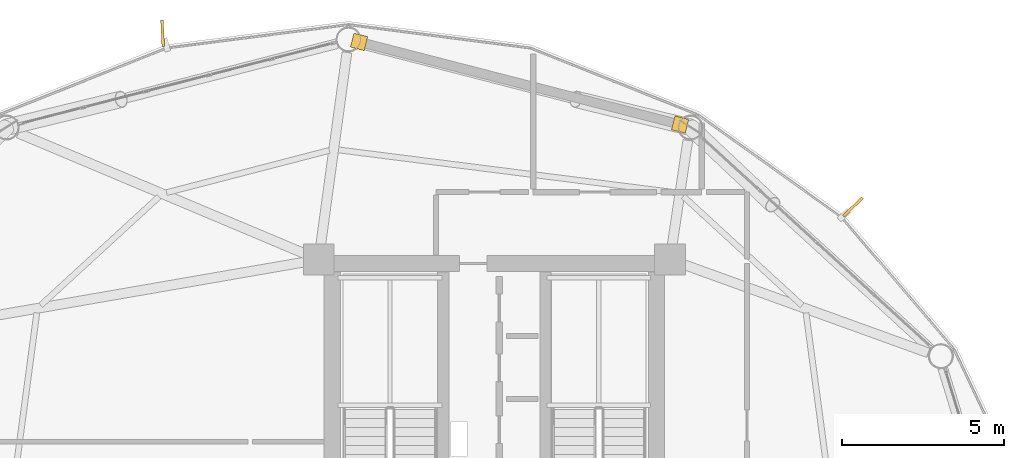
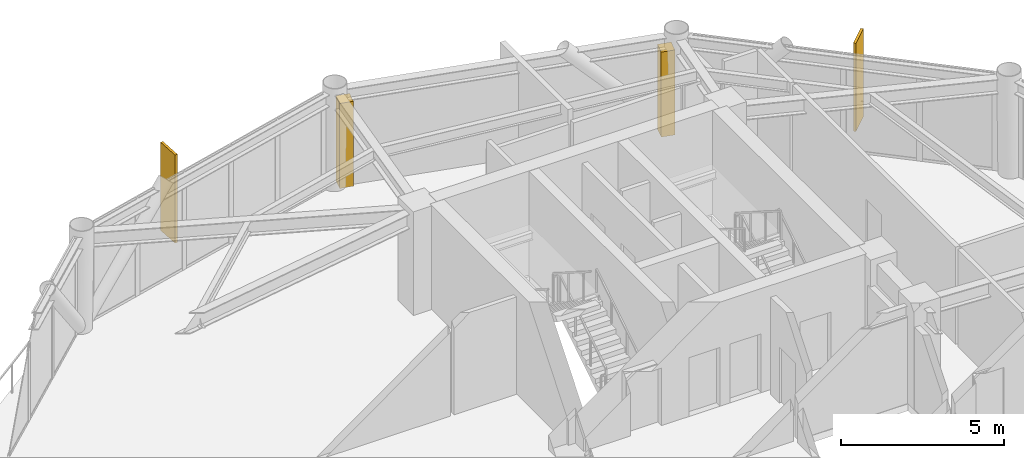
# One storey, part 25 of 25: 2 coverings, 2 shading devices.
"""IFC4 building model written with IfcOpenShell, lengths in metres."""

import ifcopenshell
import ifcopenshell.guid

model = None  # the IFC model being written
_history = None  # IfcOwnerHistory: only IFC2X3 demands one
_inside = {}  # id of a spatial element -> (the spatial element, [elements in it])
_under = {}  # id of a project, library or spatial element -> (it, [spatial elements below it])
_declared = {}  # id of a project -> (the project, [libraries it declares])
_typed = {}  # id of a type object -> (the type object, [elements of that type])
_made_of = {}  # id of a material, layer set ... -> (it, [elements and type objects made of it])


def new_model(schema):
    """Start an empty IFC model of exactly this schema.

    Asked for "IFC4X3", IfcOpenShell would pick the latest addendum, in which some entities
    have other attributes; the version numbers below select the first issue.
    IFC2X3 requires an IfcOwnerHistory on every rooted entity: one is made here for all.
    """
    global model, _history
    if schema == "IFC4X3":
        model = ifcopenshell.file(schema_version=(4, 3, 0, 0))
    else:
        model = ifcopenshell.file(schema=schema)
    _inside.clear()
    _under.clear()
    _declared.clear()
    _typed.clear()
    _made_of.clear()
    _history = None
    if model.schema == "IFC2X3":
        org = make("IfcOrganization", Name="unknown")
        user = make(
            "IfcPersonAndOrganization",
            ThePerson=make("IfcPerson", FamilyName="unknown"),
            TheOrganization=org,
        )
        app = make(
            "IfcApplication",
            ApplicationDeveloper=org,
            Version="unknown",
            ApplicationFullName="unknown",
            ApplicationIdentifier="unknown",
        )
        _history = make(
            "IfcOwnerHistory",
            OwningUser=user,
            OwningApplication=app,
            ChangeAction="ADDED",
            CreationDate=0,
        )
    return model


def make(cls, **values):
    """One entity of the class cls with the attributes given. An attribute that is None is left unset."""
    return model.create_entity(
        cls, **{name: value for name, value in values.items() if value is not None}
    )


def rooted(cls, **values):
    """An entity with a GlobalId (a new one), such as an element, a storey or a relation."""
    return make(cls, GlobalId=ifcopenshell.guid.new(), OwnerHistory=_history, **values)


def si_unit(unit_type, name, prefix=None):
    """IfcSIUnit, for example si_unit("LENGTHUNIT", "METRE", prefix="MILLI")."""
    return make("IfcSIUnit", UnitType=unit_type, Prefix=prefix, Name=name)


def assignment(units):
    """IfcUnitAssignment: the units of a project."""
    return None if units is None else make("IfcUnitAssignment", Units=units)


def point(xyz):
    """IfcCartesianPoint."""
    return None if xyz is None else make("IfcCartesianPoint", Coordinates=xyz)


def direction(xyz):
    """IfcDirection."""
    return None if xyz is None else make("IfcDirection", DirectionRatios=xyz)


def frame(location, z_axis=None, x_axis=None):
    """IfcAxis2Placement3D, a coordinate frame: its origin and axes. An axis left out is left unset."""
    return make(
        "IfcAxis2Placement3D",
        Location=point(location),
        Axis=direction(z_axis),
        RefDirection=direction(x_axis),
    )


def frame_2d(location, x_axis=None):
    """IfcAxis2Placement2D, a coordinate frame in the plane: its origin and x axis."""
    return make(
        "IfcAxis2Placement2D", Location=point(location), RefDirection=direction(x_axis)
    )


def origin():
    """The frame at (0, 0, 0) with its axes left unset."""
    return frame((0.0, 0.0, 0.0))


def origin_2d():
    """The frame at (0, 0) in the plane with its x axis left unset."""
    return frame_2d((0.0, 0.0))


def place(relative_to, where):
    """IfcLocalPlacement: puts the frame where relative to a parent placement (None: the world)."""
    return make(
        "IfcLocalPlacement", PlacementRelTo=relative_to, RelativePlacement=where
    )


def context(
    kind, dimensions, precision=None, world=None, true_north=None, identifier=None
):
    """IfcGeometricRepresentationContext, for example the 3D "Model" context."""
    return make(
        "IfcGeometricRepresentationContext",
        ContextIdentifier=identifier,
        ContextType=kind,
        CoordinateSpaceDimension=dimensions,
        Precision=precision,
        WorldCoordinateSystem=world,
        TrueNorth=true_north,
    )


def subcontext(parent, identifier, kind, view, scale=None):
    """IfcGeometricRepresentationSubContext, for example "Body" below "Model"."""
    return make(
        "IfcGeometricRepresentationSubContext",
        ContextIdentifier=identifier,
        ContextType=kind,
        ParentContext=parent,
        TargetScale=scale,
        TargetView=view,
    )


def project(units=None, contexts=None):
    """IfcProject with its units and contexts."""
    return rooted(
        "IfcProject",
        Name="project",
        RepresentationContexts=contexts,
        UnitsInContext=assignment(units),
    )


def spatial(cls, under=None, at=None, **own):
    """A site, building, storey or space (cls), placed at a placement, below another one or the project."""
    s = rooted(cls, ObjectPlacement=at, **own)
    if under is not None:
        _under.setdefault(under.id(), (under, []))[1].append(s)
    return s


def profile(cls, at=None, kind="AREA", **sizes):
    """A parametric profile (cls). Its sizes go by their IFC names, for example OverallWidth=200.0."""
    return make(cls, ProfileType=kind, Position=at, **sizes)


def rectangle(**sizes):
    """IfcRectangleProfileDef."""
    return profile("IfcRectangleProfileDef", **sizes)


def extrude(swept, where, along, depth):
    """IfcExtrudedAreaSolid: the profile swept, set in the frame where, extruded along a direction by depth."""
    return make(
        "IfcExtrudedAreaSolid",
        SweptArea=swept,
        Position=where,
        ExtrudedDirection=direction(along),
        Depth=depth,
    )


def shape(context_of_items, identifier, shape_type, items):
    """IfcShapeRepresentation: the items that make up one representation, for example the "Body"."""
    return make(
        "IfcShapeRepresentation",
        ContextOfItems=context_of_items,
        RepresentationIdentifier=identifier,
        RepresentationType=shape_type,
        Items=items,
    )


def source(mapping_origin, context_of_items, identifier, shape_type, items):
    """IfcRepresentationMap: a shape defined once, which mapped items show again and again."""
    return make(
        "IfcRepresentationMap",
        MappingOrigin=mapping_origin,
        MappedRepresentation=shape(context_of_items, identifier, shape_type, items),
    )


def transform(
    local_origin,
    x_axis=None,
    y_axis=None,
    z_axis=None,
    scale=None,
    scale2=None,
    scale3=None,
    uniform=True,
):
    """IfcCartesianTransformationOperator3D, or its non-uniform kind. x_axis, y_axis, z_axis: its Axis1, 2, 3."""
    if uniform:
        return make(
            "IfcCartesianTransformationOperator3D",
            Axis1=direction(x_axis),
            Axis2=direction(y_axis),
            LocalOrigin=point(local_origin),
            Scale=scale,
            Axis3=direction(z_axis),
        )
    return make(
        "IfcCartesianTransformationOperator3DnonUniform",
        Axis1=direction(x_axis),
        Axis2=direction(y_axis),
        LocalOrigin=point(local_origin),
        Scale=scale,
        Axis3=direction(z_axis),
        Scale2=scale2,
        Scale3=scale3,
    )


def mapped(mapping_source, mapping_target):
    """IfcMappedItem: shows the shape of a source again, moved by a transform."""
    return make(
        "IfcMappedItem", MappingSource=mapping_source, MappingTarget=mapping_target
    )


def material(Name=None, Category=None):
    """IfcMaterial."""
    return make("IfcMaterial", Name=Name, Category=Category)


def layer(
    of_material, thickness, ventilated=None, Name=None, Category=None, Priority=None
):
    """IfcMaterialLayer: one layer of a wall or slab, of a material (None: an air gap)."""
    return make(
        "IfcMaterialLayer",
        Material=of_material,
        LayerThickness=thickness,
        IsVentilated=ventilated,
        Name=Name,
        Category=Category,
        Priority=Priority,
    )


def layer_set(layers, Name=None):
    """IfcMaterialLayerSet."""
    return make("IfcMaterialLayerSet", MaterialLayers=layers, LayerSetName=Name)


def made_of(thing, what):
    """Note that an element or type object is made of a material, layer set ...; save() writes the relation."""
    if what is not None:
        _made_of.setdefault(what.id(), (what, []))[1].append(thing)
    return thing


def type_object(cls, material=None, **own):
    """A type object (cls), such as IfcWallType, which elements share."""
    return made_of(rooted(cls, **own), material)


def type_shapes(of_type, sources):
    """Give a type object the sources (RepresentationMaps) that its elements show as mapped items."""
    of_type.RepresentationMaps = sources


def element(
    cls,
    number,
    at=None,
    inside=None,
    cuts=None,
    type_object=None,
    material=None,
    context=None,
    identifier="Body",
    shape_type=None,
    held_by="IfcProductDefinitionShape",
    body=None,
    shapes=None,
    **own,
):
    """One element of the class cls, such as IfcWall. Its Tag is "e" and its number.

    at: its placement. inside: the storey or other place that contains it. cuts: it is an
    opening in that element (IfcRelVoidsElement). A single representation is given by context,
    identifier, shape_type and body (its items); several are given by shapes. held_by: the class
    of the entity that holds the representations. save() writes the other relations.
    """
    e = rooted(cls, Tag="e%d" % number, ObjectPlacement=at, **own)
    if body is not None:
        shapes = [shape(context, identifier, shape_type, body)]
    if shapes is not None:
        e.Representation = make(held_by, Representations=shapes)
    if inside is not None:
        _inside.setdefault(inside.id(), (inside, []))[1].append(e)
    if cuts is not None:
        rooted(
            "IfcRelVoidsElement", RelatingBuildingElement=cuts, RelatedOpeningElement=e
        )
    if type_object is not None:
        _typed.setdefault(type_object.id(), (type_object, []))[1].append(e)
    return made_of(e, material)


def aggregate(whole, parts):
    """IfcRelAggregates: a whole, such as a stair, and the parts it consists of."""
    return rooted("IfcRelAggregates", RelatingObject=whole, RelatedObjects=parts)


def save(model, path):
    """Write the relations noted so far, then the file.

    IfcRelAggregates (storeys below a building ...), IfcRelContainedInSpatialStructure (elements
    in a storey), IfcRelDefinesByType, IfcRelAssociatesMaterial and IfcRelDeclares: one each for
    every whole, place, type object, material and project.
    """
    for whole, parts in _under.values():
        aggregate(whole, parts)
    for where, things in _inside.values():
        rooted(
            "IfcRelContainedInSpatialStructure",
            RelatedElements=things,
            RelatingStructure=where,
        )
    for kind, things in _typed.values():
        rooted("IfcRelDefinesByType", RelatedObjects=things, RelatingType=kind)
    for what, things in _made_of.values():
        rooted("IfcRelAssociatesMaterial", RelatedObjects=things, RelatingMaterial=what)
    for by, libraries in _declared.values():
        rooted("IfcRelDeclares", RelatingContext=by, RelatedDefinitions=libraries)
    model.write(path)


model = new_model("IFC4")

# Units and contexts
model_context = context("Model", 3, precision=1e-05, world=origin(), true_north=direction((0.0, 1.0)))
body_context = subcontext(model_context, "Body", "Model", "MODEL_VIEW")
ifc_project = project(units=[si_unit("LENGTHUNIT", "METRE"), si_unit("AREAUNIT", "SQUARE_METRE"), si_unit("VOLUMEUNIT", "CUBIC_METRE"), si_unit("PLANEANGLEUNIT", "RADIAN"), si_unit("MASSUNIT", "GRAM", prefix="KILO")], contexts=[model_context])

# Site, building, storey
site_placement = place(None, origin())
site = spatial("IfcSite", under=ifc_project, at=site_placement, CompositionType="ELEMENT")
building_placement = place(site_placement, origin())
building = spatial("IfcBuilding", under=site, at=building_placement, Name="Varnakorn Sky Granary", CompositionType="ELEMENT")
storey_placement = place(building_placement, frame((0.0, 0.0, 122.699951171875)))
storey = spatial("IfcBuildingStorey", under=building, at=storey_placement, Name="L30", CompositionType="ELEMENT", Elevation=122.699951171875)

# Shading devices
ifc_material = material(Name="Anodised Bronze Aluminium Alloy 6063-T6", Category="aluminium")
shading_device_type = type_object("IfcShadingDeviceType", Name="SH-FIN-02", PredefinedType="USERDEFINED", material=ifc_material)
shared_shape_1 = source(origin(), body_context, "Body", "SweptSolid", [
    extrude(rectangle(XDim=0.0849609375, YDim=0.820068359375, at=origin_2d()), origin(), (0.0, 0.0, 1.0), 3.300048828125),
])
type_shapes(shading_device_type, [shared_shape_1])
for number, where, z_axis, x_axis, name in (
    (1, (14.064208984375, 14.240234375, -0.0400390625), (0.0, 0.0, 1.0), (-0.693088866396, 0.720852150776, 0.0), "Bronze Solar-Tracking Vertical Blade FIN L30-02"),
    (2, (-7.2373046875, 19.601318359375, -0.0400390625), (0.0, 0.0, 1.0), (-0.998772054633, -0.049541728712, 0.0), "Bronze Solar-Tracking Vertical Blade FIN L30-04"),
):
    element("IfcShadingDevice", number, at=place(storey_placement, frame(where, z_axis=z_axis, x_axis=x_axis)), inside=storey, type_object=shading_device_type, Name=name, ObjectType="FIN", PredefinedType="USERDEFINED", context=body_context, shape_type="MappedRepresentation", body=[
        mapped(shared_shape_1, transform((0.0, 0.0, 0.0), x_axis=(1.0, 0.0, 0.0), y_axis=(0.0, 1.0, 0.0), z_axis=(0.0, 0.0, 1.0), scale=1.0)),
    ])

# Coverings
ifc_layer = layer(ifc_material, 0.050048828125, Name="Anodised Bronze Aluminium Alloy 6063-T6")
ifc_layer_set = layer_set([ifc_layer], Name="Anodised Bronze Aluminium Alloy 6063-T6")
covering_type = type_object("IfcCoveringType", Name="CV-CLAD-50", PredefinedType="CLADDING", material=ifc_layer_set)
shared_shape_2 = source(origin(), body_context, "Body", "SweptSolid", [
    extrude(rectangle(XDim=0.43994140625, YDim=0.43994140625, at=origin_2d()), origin(), (0.0, 0.0, 1.0), 3.179931640625),
])
type_shapes(covering_type, [shared_shape_2])
for number, where, z_axis, x_axis, name in (
    (3, (-1.174560546875, 19.337158203125, -0.02001953125), (0.0, 0.0, 1.0), (0.968409306811, -0.249366025115, 0.0), "Bronze Corner Pilaster Closure L30-P03-A"),
    (4, (8.732177734375, 16.785888671875, -0.02001953125), (0.0, 0.0, 1.0), (0.968409306811, -0.249366025115, 0.0), "Bronze Corner Pilaster Closure L30-P03-B"),
):
    element("IfcCovering", number, at=place(storey_placement, frame(where, z_axis=z_axis, x_axis=x_axis)), inside=storey, type_object=covering_type, Name=name, PredefinedType="CLADDING", context=body_context, shape_type="MappedRepresentation", body=[
        mapped(shared_shape_2, transform((0.0, 0.0, 0.0), x_axis=(1.0, 0.0, 0.0), y_axis=(0.0, 1.0, 0.0), z_axis=(0.0, 0.0, 1.0), scale=1.0)),
    ])

save(model, "model.ifc")
